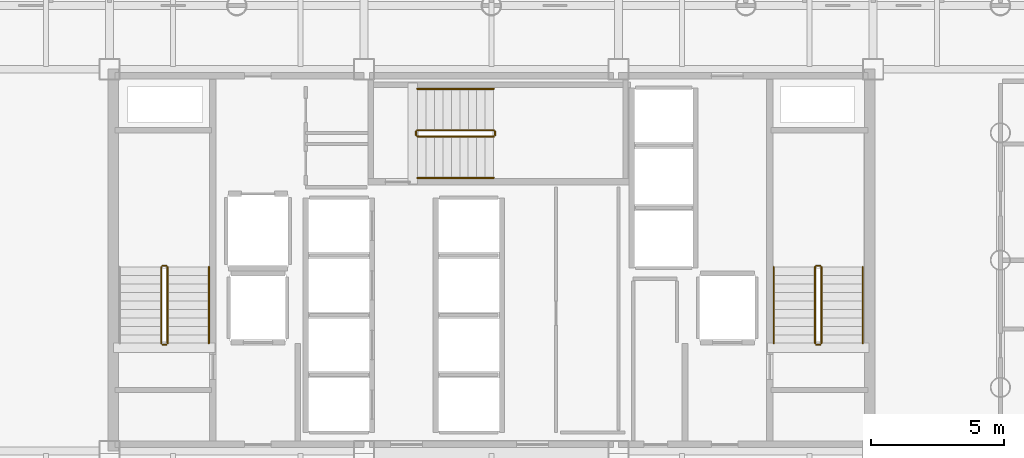
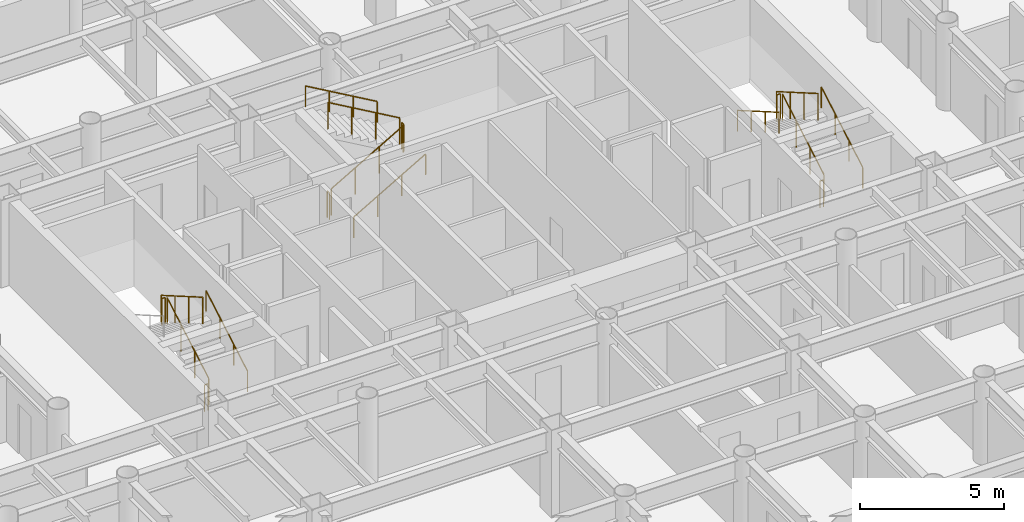
# One storey, part 22 of 22: 17 railings.
"""IFC4 building model written with IfcOpenShell, lengths in metres."""

from ifc_helpers import new_model, si_unit, direction, frame, origin, origin_2d, place, context, subcontext, project, spatial, circle, extrude, material, layer, layer_set, type_object, element, save


model = new_model("IFC4")

# Units and contexts
model_context = context("Model", 3, precision=1e-05, world=origin(), true_north=direction((0.0, 1.0)))
body_context = subcontext(model_context, "Body", "Model", "MODEL_VIEW")
ifc_project = project(units=[si_unit("LENGTHUNIT", "METRE"), si_unit("AREAUNIT", "SQUARE_METRE"), si_unit("VOLUMEUNIT", "CUBIC_METRE"), si_unit("PLANEANGLEUNIT", "RADIAN"), si_unit("MASSUNIT", "GRAM", prefix="KILO")], contexts=[model_context])

# Site, building, storey
site_placement = place(None, origin())
site = spatial("IfcSite", under=ifc_project, at=site_placement, CompositionType="ELEMENT")
building_placement = place(site_placement, origin())
building = spatial("IfcBuilding", under=site, at=building_placement, Name="Kallvorn Hotel Tower", CompositionType="ELEMENT")
storey_placement = place(building_placement, frame((0.0, 0.0, 48.5)))
storey = spatial("IfcBuildingStorey", under=building, at=storey_placement, Name="L10", CompositionType="ELEMENT", Elevation=48.5)

# Railings
ifc_material_1 = material(Name="Brushed stainless-steel tubular railing", Category="steel")
ifc_layer_1 = layer(ifc_material_1, 0.050048828125)
ifc_layer_set_1 = layer_set([ifc_layer_1], Name="RL_STAIR_GUARD")
railing_type_1 = type_object("IfcRailingType", Name="RL_STAIR_GUARD", PredefinedType="GUARDRAIL", material=ifc_layer_set_1)
railing_1_placement = place(storey_placement, frame((-12.2099609375, -3.139892578125, 0.18505859375)))
element("IfcRailing", 1, at=railing_1_placement, inside=storey, type_object=railing_type_1, Name="L10 ST1 stair guard 1", PredefinedType="GUARDRAIL", context=body_context, shape_type="SweptSolid", body=[
    extrude(circle(Radius=0.02392578125, at=origin_2d()), frame((0.0, 0.0, 1.1259765625), z_axis=(0.0, 0.865720918037, 0.500527014328), x_axis=(-1.0, 0.0, 0.0)), (0.0, 0.0, 1.0), 3.32666015625),
    extrude(circle(Radius=0.02099609375, at=origin_2d()), origin(), (0.0, 0.0, 1.0), 1.101806640625),
    extrude(circle(Radius=0.02099609375, at=origin_2d()), frame((0.0, 0.9599609375, 0.554931640625)), (0.0, 0.0, 1.0), 1.101806640625),
    extrude(circle(Radius=0.02099609375, at=origin_2d()), frame((0.0, 1.919921875, 1.110107421875)), (0.0, 0.0, 1.0), 1.101806640625),
    extrude(circle(Radius=0.02099609375, at=origin_2d()), frame((0.0, 2.8798828125, 1.6650390625)), (0.0, 0.0, 1.0), 1.101806640625),
])
railing_2_placement = place(storey_placement, frame((-12.260009765625, -0.2099609375, 1.85009765625)))
element("IfcRailing", 2, at=railing_2_placement, inside=storey, type_object=railing_type_1, Name="L10 ST1 stair guard 2", PredefinedType="GUARDRAIL", context=body_context, shape_type="SweptSolid", body=[
    extrude(circle(Radius=0.02392578125, at=origin_2d()), frame((0.0, 0.0, 1.1259765625), z_axis=(-1.0, 0.0, 0.0), x_axis=(0.0, -1.0, 0.0)), (0.0, 0.0, 1.0), 0.139892578125),
    extrude(circle(Radius=0.02099609375, at=origin_2d()), origin(), (0.0, 0.0, 1.0), 1.101806640625),
    extrude(circle(Radius=0.02099609375, at=origin_2d()), frame((-0.139892578125, 0.0, 0.0)), (0.0, 0.0, 1.0), 1.101806640625),
])
railing_3_placement = place(storey_placement, frame((-12.449951171875, -0.260009765625, 2.034912109375)))
element("IfcRailing", 3, at=railing_3_placement, inside=storey, type_object=railing_type_1, Name="L10 ST1 stair guard 3", PredefinedType="GUARDRAIL", context=body_context, shape_type="SweptSolid", body=[
    extrude(circle(Radius=0.02392578125, at=origin_2d()), frame((0.0, 0.0, 1.1259765625), z_axis=(0.0, -0.865720918037, 0.500527014328), x_axis=(1.0, 0.0, 0.0)), (0.0, 0.0, 1.0), 3.32666015625),
    extrude(circle(Radius=0.02099609375, at=origin_2d()), origin(), (0.0, 0.0, 1.0), 1.101806640625),
    extrude(circle(Radius=0.02099609375, at=origin_2d()), frame((0.0, -0.9599609375, 0.554931640625)), (0.0, 0.0, 1.0), 1.101806640625),
    extrude(circle(Radius=0.02099609375, at=origin_2d()), frame((0.0, -1.919921875, 1.110107421875)), (0.0, 0.0, 1.0), 1.101806640625),
    extrude(circle(Radius=0.02099609375, at=origin_2d()), frame((0.0, -2.8798828125, 1.6650390625)), (0.0, 0.0, 1.0), 1.101806640625),
])
railing_4_placement = place(storey_placement, frame((-12.260009765625, -3.18994140625, 0.0)))
element("IfcRailing", 4, at=railing_4_placement, inside=storey, type_object=railing_type_1, Name="L10 ST1 stair guard 4", PredefinedType="GUARDRAIL", context=body_context, shape_type="SweptSolid", body=[
    extrude(circle(Radius=0.02392578125, at=origin_2d()), frame((0.0, 0.0, 1.1259765625), z_axis=(-1.0, 0.0, 0.0), x_axis=(0.0, -1.0, 0.0)), (0.0, 0.0, 1.0), 0.139892578125),
    extrude(circle(Radius=0.02099609375, at=origin_2d()), origin(), (0.0, 0.0, 1.0), 1.101806640625),
    extrude(circle(Radius=0.02099609375, at=origin_2d()), frame((-0.139892578125, 0.0, 0.0)), (0.0, 0.0, 1.0), 1.101806640625),
])
railing_5_placement = place(storey_placement, frame((12.449951171875, -3.139892578125, 0.18505859375)))
element("IfcRailing", 5, at=railing_5_placement, inside=storey, type_object=railing_type_1, Name="L10 ST2 stair guard 1", PredefinedType="GUARDRAIL", context=body_context, shape_type="SweptSolid", body=[
    extrude(circle(Radius=0.02392578125, at=origin_2d()), frame((0.0, 0.0, 1.1259765625), z_axis=(0.0, 0.865720918037, 0.500527014328), x_axis=(-1.0, 0.0, 0.0)), (0.0, 0.0, 1.0), 3.32666015625),
    extrude(circle(Radius=0.02099609375, at=origin_2d()), origin(), (0.0, 0.0, 1.0), 1.101806640625),
    extrude(circle(Radius=0.02099609375, at=origin_2d()), frame((0.0, 0.9599609375, 0.554931640625)), (0.0, 0.0, 1.0), 1.101806640625),
    extrude(circle(Radius=0.02099609375, at=origin_2d()), frame((0.0, 1.919921875, 1.110107421875)), (0.0, 0.0, 1.0), 1.101806640625),
    extrude(circle(Radius=0.02099609375, at=origin_2d()), frame((0.0, 2.8798828125, 1.6650390625)), (0.0, 0.0, 1.0), 1.101806640625),
])
railing_6_placement = place(storey_placement, frame((12.39990234375, -0.2099609375, 1.85009765625)))
element("IfcRailing", 6, at=railing_6_placement, inside=storey, type_object=railing_type_1, Name="L10 ST2 stair guard 2", PredefinedType="GUARDRAIL", context=body_context, shape_type="SweptSolid", body=[
    extrude(circle(Radius=0.02392578125, at=origin_2d()), frame((0.0, 0.0, 1.1259765625), z_axis=(-1.0, 0.0, 0.0), x_axis=(0.0, -1.0, 0.0)), (0.0, 0.0, 1.0), 0.139892578125),
    extrude(circle(Radius=0.02099609375, at=origin_2d()), origin(), (0.0, 0.0, 1.0), 1.101806640625),
    extrude(circle(Radius=0.02099609375, at=origin_2d()), frame((-0.139892578125, 0.0, 0.0)), (0.0, 0.0, 1.0), 1.101806640625),
])
railing_7_placement = place(storey_placement, frame((12.2099609375, -0.260009765625, 2.034912109375)))
element("IfcRailing", 7, at=railing_7_placement, inside=storey, type_object=railing_type_1, Name="L10 ST2 stair guard 3", PredefinedType="GUARDRAIL", context=body_context, shape_type="SweptSolid", body=[
    extrude(circle(Radius=0.02392578125, at=origin_2d()), frame((0.0, 0.0, 1.1259765625), z_axis=(0.0, -0.865720918037, 0.500527014328), x_axis=(1.0, 0.0, 0.0)), (0.0, 0.0, 1.0), 3.32666015625),
    extrude(circle(Radius=0.02099609375, at=origin_2d()), origin(), (0.0, 0.0, 1.0), 1.101806640625),
    extrude(circle(Radius=0.02099609375, at=origin_2d()), frame((0.0, -0.9599609375, 0.554931640625)), (0.0, 0.0, 1.0), 1.101806640625),
    extrude(circle(Radius=0.02099609375, at=origin_2d()), frame((0.0, -1.919921875, 1.110107421875)), (0.0, 0.0, 1.0), 1.101806640625),
    extrude(circle(Radius=0.02099609375, at=origin_2d()), frame((0.0, -2.8798828125, 1.6650390625)), (0.0, 0.0, 1.0), 1.101806640625),
])
railing_8_placement = place(storey_placement, frame((12.39990234375, -3.18994140625, 0.0)))
element("IfcRailing", 8, at=railing_8_placement, inside=storey, type_object=railing_type_1, Name="L10 ST2 stair guard 4", PredefinedType="GUARDRAIL", context=body_context, shape_type="SweptSolid", body=[
    extrude(circle(Radius=0.02392578125, at=origin_2d()), frame((0.0, 0.0, 1.1259765625), z_axis=(-1.0, 0.0, 0.0), x_axis=(0.0, -1.0, 0.0)), (0.0, 0.0, 1.0), 0.139892578125),
    extrude(circle(Radius=0.02099609375, at=origin_2d()), origin(), (0.0, 0.0, 1.0), 1.101806640625),
    extrude(circle(Radius=0.02099609375, at=origin_2d()), frame((-0.139892578125, 0.0, 0.0)), (0.0, 0.0, 1.0), 1.101806640625),
])
railing_9_placement = place(storey_placement, frame((-2.7900390625, 4.659912109375, 0.18505859375)))
element("IfcRailing", 9, at=railing_9_placement, inside=storey, type_object=railing_type_1, Name="L10 ST3 stair guard 1", PredefinedType="GUARDRAIL", context=body_context, shape_type="SweptSolid", body=[
    extrude(circle(Radius=0.02392578125, at=origin_2d()), frame((0.0, 0.0, 1.1259765625), z_axis=(0.865739302748, 0.0, 0.50049521444), x_axis=(0.0, 1.0, 0.0)), (0.0, 0.0, 1.0), 3.326904296875),
    extrude(circle(Radius=0.02099609375, at=origin_2d()), origin(), (0.0, 0.0, 1.0), 1.101806640625),
    extrude(circle(Radius=0.02099609375, at=origin_2d()), frame((0.9599609375, 0.0, 0.554931640625)), (0.0, 0.0, 1.0), 1.101806640625),
    extrude(circle(Radius=0.02099609375, at=origin_2d()), frame((1.920166015625, 0.0, 1.110107421875)), (0.0, 0.0, 1.0), 1.101806640625),
    extrude(circle(Radius=0.02099609375, at=origin_2d()), frame((2.880126953125, 0.0, 1.6650390625)), (0.0, 0.0, 1.0), 1.101806640625),
])
railing_10_placement = place(storey_placement, frame((0.139892578125, 4.7099609375, 1.85009765625)))
element("IfcRailing", 10, at=railing_10_placement, inside=storey, type_object=railing_type_1, Name="L10 ST3 stair guard 2", PredefinedType="GUARDRAIL", context=body_context, shape_type="SweptSolid", body=[
    extrude(circle(Radius=0.02392578125, at=origin_2d()), frame((0.0, 0.0, 1.1259765625), z_axis=(0.0, 1.0, 0.0), x_axis=(-1.0, 0.0, 0.0)), (0.0, 0.0, 1.0), 0.14013671875),
    extrude(circle(Radius=0.02099609375, at=origin_2d()), origin(), (0.0, 0.0, 1.0), 1.101806640625),
    extrude(circle(Radius=0.02099609375, at=origin_2d()), frame((0.0, 0.14013671875, 0.0)), (0.0, 0.0, 1.0), 1.101806640625),
])
railing_11_placement = place(storey_placement, frame((0.090087890625, 4.89990234375, 2.034912109375)))
element("IfcRailing", 11, at=railing_11_placement, inside=storey, type_object=railing_type_1, Name="L10 ST3 stair guard 3", PredefinedType="GUARDRAIL", context=body_context, shape_type="SweptSolid", body=[
    extrude(circle(Radius=0.02392578125, at=origin_2d()), frame((0.0, 0.0, 1.1259765625), z_axis=(-0.865739302748, 0.0, 0.50049521444), x_axis=(0.0, -1.0, 0.0)), (0.0, 0.0, 1.0), 3.326904296875),
    extrude(circle(Radius=0.02099609375, at=origin_2d()), origin(), (0.0, 0.0, 1.0), 1.101806640625),
    extrude(circle(Radius=0.02099609375, at=origin_2d()), frame((-0.9599609375, 0.0, 0.554931640625)), (0.0, 0.0, 1.0), 1.101806640625),
    extrude(circle(Radius=0.02099609375, at=origin_2d()), frame((-1.920166015625, 0.0, 1.110107421875)), (0.0, 0.0, 1.0), 1.101806640625),
    extrude(circle(Radius=0.02099609375, at=origin_2d()), frame((-2.880126953125, 0.0, 1.6650390625)), (0.0, 0.0, 1.0), 1.101806640625),
])
railing_12_placement = place(storey_placement, frame((-2.840087890625, 4.7099609375, 0.0)))
element("IfcRailing", 12, at=railing_12_placement, inside=storey, type_object=railing_type_1, Name="L10 ST3 stair guard 4", PredefinedType="GUARDRAIL", context=body_context, shape_type="SweptSolid", body=[
    extrude(circle(Radius=0.02392578125, at=origin_2d()), frame((0.0, 0.0, 1.1259765625), z_axis=(0.0, 1.0, 0.0), x_axis=(-1.0, 0.0, 0.0)), (0.0, 0.0, 1.0), 0.14013671875),
    extrude(circle(Radius=0.02099609375, at=origin_2d()), origin(), (0.0, 0.0, 1.0), 1.101806640625),
    extrude(circle(Radius=0.02099609375, at=origin_2d()), frame((0.0, 0.14013671875, 0.0)), (0.0, 0.0, 1.0), 1.101806640625),
])
ifc_material_2 = material(Name="Brushed stainless-steel tubular railing", Category="steel")
ifc_layer_2 = layer(ifc_material_2, 0.050048828125)
ifc_layer_set_2 = layer_set([ifc_layer_2], Name="RL_STAIR_HAND")
railing_type_2 = type_object("IfcRailingType", Name="RL_STAIR_HAND", PredefinedType="HANDRAIL", material=ifc_layer_set_2)
for number, where, name in (
    (13, (-10.64990234375, -3.139892578125, 0.18505859375), "L10 ST1 stair handrail 1"),
    (14, (14.010009765625, -3.139892578125, 0.18505859375), "L10 ST2 stair handrail 1"),
):
    element("IfcRailing", number, at=place(storey_placement, frame(where)), inside=storey, type_object=railing_type_2, Name=name, PredefinedType="HANDRAIL", context=body_context, shape_type="SweptSolid", body=[
        extrude(circle(Radius=0.02392578125, at=origin_2d()), frame((0.0, 0.0, 0.8759765625), z_axis=(0.0, 0.865720918037, 0.500527014328), x_axis=(-1.0, 0.0, 0.0)), (0.0, 0.0, 1.0), 3.32666015625),
        extrude(circle(Radius=0.02099609375, at=origin_2d()), origin(), (0.0, 0.0, 1.0), 0.851806640625),
        extrude(circle(Radius=0.02099609375, at=origin_2d()), frame((0.0, 0.9599609375, 0.554931640625)), (0.0, 0.0, 1.0), 0.851806640625),
        extrude(circle(Radius=0.02099609375, at=origin_2d()), frame((0.0, 1.919921875, 1.110107421875)), (0.0, 0.0, 1.0), 0.851806640625),
        extrude(circle(Radius=0.02099609375, at=origin_2d()), frame((0.0, 2.8798828125, 1.6650390625)), (0.0, 0.0, 1.0), 0.851806640625),
    ])
railing_13_placement = place(storey_placement, frame((10.64990234375, -0.260009765625, 2.034912109375)))
element("IfcRailing", 15, at=railing_13_placement, inside=storey, type_object=railing_type_2, Name="L10 ST2 stair handrail 2", PredefinedType="HANDRAIL", context=body_context, shape_type="SweptSolid", body=[
    extrude(circle(Radius=0.02392578125, at=origin_2d()), frame((0.0, 0.0, 0.8759765625), z_axis=(0.0, -0.865720918037, 0.500527014328), x_axis=(1.0, 0.0, 0.0)), (0.0, 0.0, 1.0), 3.32666015625),
    extrude(circle(Radius=0.02099609375, at=origin_2d()), origin(), (0.0, 0.0, 1.0), 0.851806640625),
    extrude(circle(Radius=0.02099609375, at=origin_2d()), frame((0.0, -0.9599609375, 0.554931640625)), (0.0, 0.0, 1.0), 0.851806640625),
    extrude(circle(Radius=0.02099609375, at=origin_2d()), frame((0.0, -1.919921875, 1.110107421875)), (0.0, 0.0, 1.0), 0.851806640625),
    extrude(circle(Radius=0.02099609375, at=origin_2d()), frame((0.0, -2.8798828125, 1.6650390625)), (0.0, 0.0, 1.0), 0.851806640625),
])
railing_14_placement = place(storey_placement, frame((-2.7900390625, 3.10009765625, 0.18505859375)))
element("IfcRailing", 16, at=railing_14_placement, inside=storey, type_object=railing_type_2, Name="L10 ST3 stair handrail 1", PredefinedType="HANDRAIL", context=body_context, shape_type="SweptSolid", body=[
    extrude(circle(Radius=0.02392578125, at=origin_2d()), frame((0.0, 0.0, 0.8759765625), z_axis=(0.865739302748, 0.0, 0.50049521444), x_axis=(0.0, 1.0, 0.0)), (0.0, 0.0, 1.0), 3.326904296875),
    extrude(circle(Radius=0.02099609375, at=origin_2d()), origin(), (0.0, 0.0, 1.0), 0.851806640625),
    extrude(circle(Radius=0.02099609375, at=origin_2d()), frame((0.9599609375, 0.0, 0.554931640625)), (0.0, 0.0, 1.0), 0.851806640625),
    extrude(circle(Radius=0.02099609375, at=origin_2d()), frame((1.920166015625, 0.0, 1.110107421875)), (0.0, 0.0, 1.0), 0.851806640625),
    extrude(circle(Radius=0.02099609375, at=origin_2d()), frame((2.880126953125, 0.0, 1.6650390625)), (0.0, 0.0, 1.0), 0.851806640625),
])
railing_15_placement = place(storey_placement, frame((0.090087890625, 6.4599609375, 2.034912109375)))
element("IfcRailing", 17, at=railing_15_placement, inside=storey, type_object=railing_type_2, Name="L10 ST3 stair handrail 2", PredefinedType="HANDRAIL", context=body_context, shape_type="SweptSolid", body=[
    extrude(circle(Radius=0.02392578125, at=origin_2d()), frame((0.0, 0.0, 0.8759765625), z_axis=(-0.865739302748, 0.0, 0.50049521444), x_axis=(0.0, -1.0, 0.0)), (0.0, 0.0, 1.0), 3.326904296875),
    extrude(circle(Radius=0.02099609375, at=origin_2d()), origin(), (0.0, 0.0, 1.0), 0.851806640625),
    extrude(circle(Radius=0.02099609375, at=origin_2d()), frame((-0.9599609375, 0.0, 0.554931640625)), (0.0, 0.0, 1.0), 0.851806640625),
    extrude(circle(Radius=0.02099609375, at=origin_2d()), frame((-1.920166015625, 0.0, 1.110107421875)), (0.0, 0.0, 1.0), 0.851806640625),
    extrude(circle(Radius=0.02099609375, at=origin_2d()), frame((-2.880126953125, 0.0, 1.6650390625)), (0.0, 0.0, 1.0), 0.851806640625),
])

save(model, "model.ifc")
